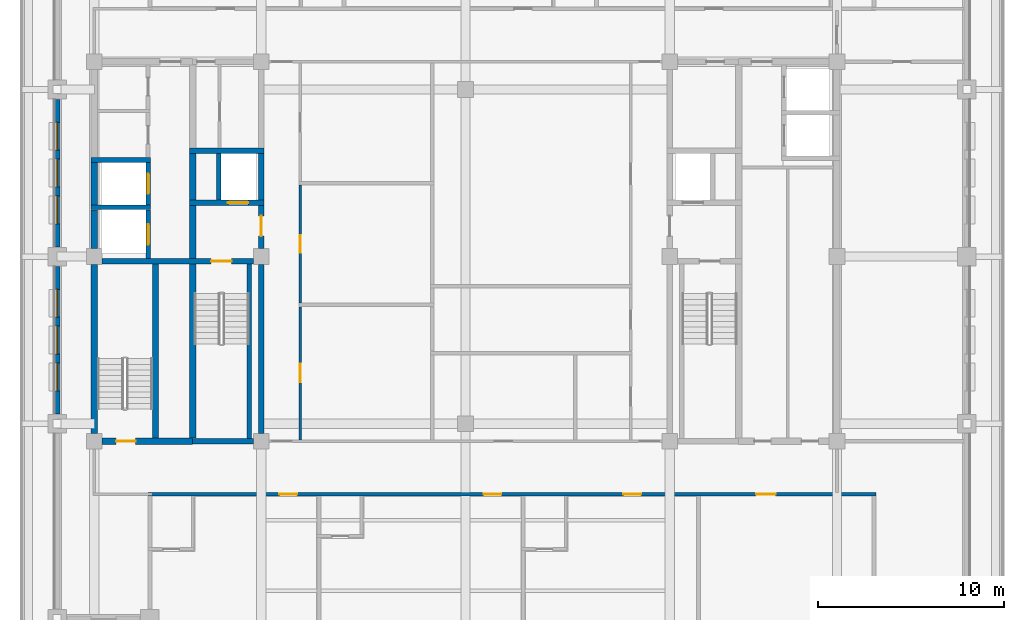
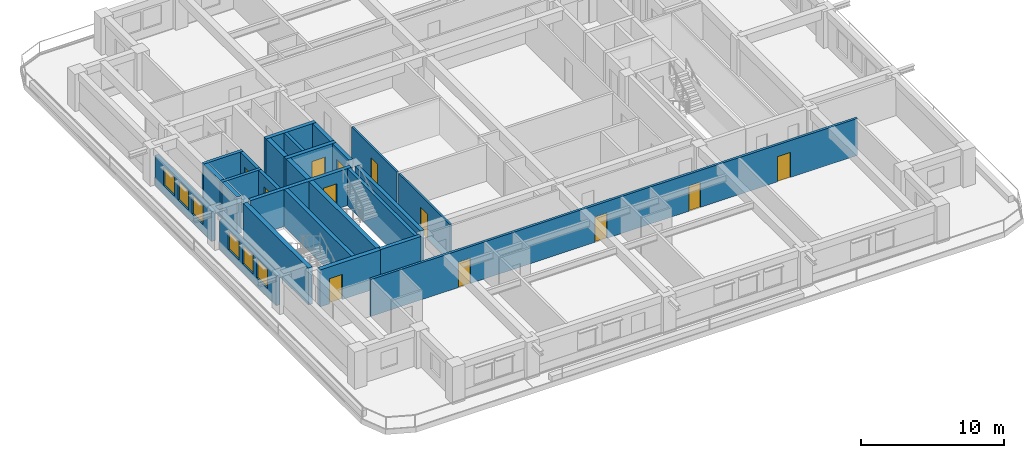
# One storey, part 3 of 13: 26 walls, 12 doors, 6 windows, 18 openings.
"""IFC4 building model written with IfcOpenShell, lengths in metres."""

from ifc_helpers import new_model, si_unit, direction, frame, frame_2d, origin, place, context, subcontext, project, spatial, rectangle, extrude, material, layer, layer_set, type_object, element, fill, save


model = new_model("IFC4")

# Units and contexts
model_context = context("Model", 3, precision=1e-05, world=origin(), true_north=direction((0.0, 1.0)))
body_context = subcontext(model_context, "Body", "Model", "MODEL_VIEW")
ifc_project = project(units=[si_unit("LENGTHUNIT", "METRE"), si_unit("AREAUNIT", "SQUARE_METRE"), si_unit("VOLUMEUNIT", "CUBIC_METRE"), si_unit("PLANEANGLEUNIT", "RADIAN"), si_unit("MASSUNIT", "GRAM", prefix="KILO")], contexts=[model_context])

# Site, building, storey
site_placement = place(None, origin())
site = spatial("IfcSite", under=ifc_project, at=site_placement, CompositionType="ELEMENT")
building_placement = place(site_placement, origin())
building = spatial("IfcBuilding", under=site, at=building_placement, Name="Zulmaris Gate Convention Tower", CompositionType="ELEMENT")
storey_placement = place(building_placement, frame((0.0, 0.0, 169.4599609375)))
storey = spatial("IfcBuildingStorey", under=building, at=storey_placement, Name="L43", CompositionType="ELEMENT", Elevation=169.4599609375)

# Walls
ifc_material_1 = material(Name="Concrete C50/60", Category="concrete")
ifc_layer_1 = layer(ifc_material_1, 0.25, Name="Concrete C50/60")
ifc_layer_set_1 = layer_set([ifc_layer_1], Name="Concrete C50/60")
wall_type_1 = type_object("IfcWallType", Name="CORE-250", PredefinedType="SOLIDWALL", material=ifc_layer_set_1)
for number, where, z_axis, x_axis, name in (
    (1, (-20.175048828125, 2.64990234375, 0.0), (0.0, 0.0, 1.0), (1.0, 0.0, 0.0), "WL-L43-007"),
    (2, (-20.175048828125, 5.199951171875, 0.0), (0.0, 0.0, 1.0), (1.0, 0.0, 0.0), "WL-L43-010"),
):
    element("IfcWall", number, at=place(storey_placement, frame(where, z_axis=z_axis, x_axis=x_axis)), inside=storey, type_object=wall_type_1, Name=name, PredefinedType="SOLIDWALL", context=body_context, shape_type="SweptSolid", body=[
        extrude(rectangle(XDim=3.199951171875, YDim=0.25, at=frame_2d((1.60009765625, 0.0))), origin(), (0.0, 0.0, 1.0), 3.14990234375),
    ])

# Wall, opening, door
wall_1_placement = place(storey_placement, frame((-17.10009765625, -0.097900390625, 0.0), z_axis=(0.0, 0.0, 1.0), x_axis=(0.0, 1.0, 0.0)))
wall_1 = element("IfcWall", 3, at=wall_1_placement, inside=storey, type_object=wall_type_1, Name="WL-L43-044", PredefinedType="SOLIDWALL", context=body_context, shape_type="SweptSolid", body=[
    extrude(rectangle(XDim=2.620849609375, YDim=0.25, at=frame_2d((1.310546875, 0.0))), origin(), (0.0, 0.0, 1.0), 3.14990234375),
])
opening_1_placement = place(wall_1_placement, frame((0.748046875, 0.0, 0.0)))
opening_1 = element("IfcOpeningElement", 4, at=opening_1_placement, cuts=wall_1, Name="Opening D-06", PredefinedType="OPENING", context=body_context, shape_type="SweptSolid", body=[
    extrude(rectangle(XDim=1.10009765625, YDim=2.199951171875, at=frame_2d((0.550048828125, 1.10009765625))), frame((0.0, 0.135009765625, 0.0), z_axis=(0.0, -1.0, 0.0), x_axis=(1.0, 0.0, 0.0)), (0.0, 0.0, 1.0), 0.27001953125),
])
ifc_material_2 = material(Name="Brushed Stainless Steel", Category="steel")
door_type_1 = type_object("IfcDoorType", Name="LD-1100", OperationType="NOTDEFINED", PredefinedType="DOOR", material=ifc_material_2)
door_1_placement = place(opening_1_placement, origin())
door_1 = element("IfcDoor", 5, at=door_1_placement, inside=storey, type_object=door_type_1, Name="L43 Lift Landing Door HP-03 11", OperationType="SLIDING_TO_LEFT", OverallHeight=2.199951171875, OverallWidth=1.10009765625, PredefinedType="DOOR", context=body_context, shape_type="SweptSolid", body=[
    extrude(rectangle(XDim=1.10009765625, YDim=2.199951171875, at=frame_2d((0.550048828125, 1.10009765625))), frame((0.0, 0.02490234375, 0.0), z_axis=(0.0, -1.0, 0.0), x_axis=(1.0, 0.0, 0.0)), (0.0, 0.0, 1.0), 0.050048828125),
])
fill(opening_1, door_1)

wall_2_placement = place(storey_placement, frame((-17.10009765625, 2.777099609375, 0.0), z_axis=(0.0, 0.0, 1.0), x_axis=(0.0, 1.0, 0.0)))
wall_2 = element("IfcWall", 6, at=wall_2_placement, inside=storey, type_object=wall_type_1, Name="WL-L43-045", PredefinedType="SOLIDWALL", context=body_context, shape_type="SweptSolid", body=[
    extrude(rectangle(XDim=2.2958984375, YDim=0.25, at=frame_2d((1.14794921875, 0.0))), origin(), (0.0, 0.0, 1.0), 3.14990234375),
])
opening_2_placement = place(wall_2_placement, frame((0.597900390625, 0.0, 0.0)))
opening_2 = element("IfcOpeningElement", 7, at=opening_2_placement, cuts=wall_2, Name="Opening D-06", PredefinedType="OPENING", context=body_context, shape_type="SweptSolid", body=[
    extrude(rectangle(XDim=1.10009765625, YDim=2.199951171875, at=frame_2d((0.550048828125, 1.10009765625))), frame((0.0, 0.135009765625, 0.0), z_axis=(0.0, -1.0, 0.0), x_axis=(1.0, 0.0, 0.0)), (0.0, 0.0, 1.0), 0.27001953125),
])
door_2_placement = place(opening_2_placement, origin())
door_2 = element("IfcDoor", 8, at=door_2_placement, inside=storey, type_object=door_type_1, Name="L43 Lift Landing Door HP-04 12", OperationType="SLIDING_TO_LEFT", OverallHeight=2.199951171875, OverallWidth=1.10009765625, PredefinedType="DOOR", context=body_context, shape_type="SweptSolid", body=[
    extrude(rectangle(XDim=1.10009765625, YDim=2.199951171875, at=frame_2d((0.550048828125, 1.10009765625))), frame((0.0, 0.02490234375, 0.0), z_axis=(0.0, -1.0, 0.0), x_axis=(1.0, 0.0, 0.0)), (0.0, 0.0, 1.0), 0.050048828125),
])
fill(opening_2, door_2)

# Walls
wall_3_placement = place(storey_placement, frame((-13.300048828125, 3.052001953125, 0.0), z_axis=(0.0, 0.0, 1.0), x_axis=(0.0, 1.0, 0.0)))
element("IfcWall", 9, at=wall_3_placement, inside=storey, type_object=wall_type_1, Name="WL-L43-051", PredefinedType="SOLIDWALL", context=body_context, shape_type="SweptSolid", body=[
    extrude(rectangle(XDim=2.49609375, YDim=0.25, at=frame_2d((1.248046875, 0.0))), origin(), (0.0, 0.0, 1.0), 3.14990234375),
])
wall_4_placement = place(storey_placement, frame((-11.64990234375, -9.798095703125, 0.0), z_axis=(0.0, 0.0, 1.0), x_axis=(0.0, 1.0, 0.0)))
element("IfcWall", 10, at=wall_4_placement, inside=storey, type_object=wall_type_1, Name="WL-L43-052", PredefinedType="SOLIDWALL", context=body_context, shape_type="SweptSolid", body=[
    extrude(rectangle(XDim=9.39599609375, YDim=0.25, at=frame_2d((4.697998046875, 0.0))), origin(), (0.0, 0.0, 1.0), 3.14990234375),
])
ifc_layer_2 = layer(ifc_material_1, 0.300048828125, Name="Concrete C50/60")
ifc_layer_set_2 = layer_set([ifc_layer_2], Name="Concrete C50/60")
wall_type_2 = type_object("IfcWallType", Name="CORE-300", PredefinedType="SHEAR", material=ifc_layer_set_2)
wall_5_placement = place(storey_placement, frame((-14.699951171875, -9.949951171875, 0.0), z_axis=(0.0, 0.0, 1.0), x_axis=(1.0, 0.0, 0.0)))
element("IfcWall", 11, at=wall_5_placement, inside=storey, type_object=wall_type_2, Name="WL-L43-002", PredefinedType="SHEAR", context=body_context, shape_type="SweptSolid", body=[
    extrude(rectangle(XDim=3.27099609375, YDim=0.300048828125, at=frame_2d((1.635498046875, 0.0))), origin(), (0.0, 0.0, 1.0), 3.14990234375),
])

# Wall, opening, door
wall_6_placement = place(storey_placement, frame((-19.571044921875, -0.25, 0.0), z_axis=(0.0, 0.0, 1.0), x_axis=(1.0, 0.0, 0.0)))
wall_6 = element("IfcWall", 12, at=wall_6_placement, inside=storey, type_object=wall_type_2, Name="WL-L43-005", PredefinedType="SHEAR", context=body_context, shape_type="SweptSolid", body=[
    extrude(rectangle(XDim=8.14208984375, YDim=0.300048828125, at=frame_2d((4.071044921875, 0.0))), origin(), (0.0, 0.0, 1.0), 3.14990234375),
])
opening_3_placement = place(wall_6_placement, frame((5.87109375, 0.0, 0.0)))
opening_3 = element("IfcOpeningElement", 13, at=opening_3_placement, cuts=wall_6, Name="Opening D-08", PredefinedType="OPENING", context=body_context, shape_type="SweptSolid", body=[
    extrude(rectangle(XDim=1.10009765625, YDim=2.14990234375, at=frame_2d((0.550048828125, 1.074951171875))), frame((0.0, 0.16015625, 0.0), z_axis=(0.0, -1.0, 0.0), x_axis=(1.0, 0.0, 0.0)), (0.0, 0.0, 1.0), 0.320068359375),
])
ifc_material_3 = material(Name="Fire-Rated Steel", Category="steel")
door_type_2 = type_object("IfcDoorType", Name="DR-1100-FD", OperationType="NOTDEFINED", PredefinedType="DOOR", material=ifc_material_3)
door_3_placement = place(opening_3_placement, origin())
door_3 = element("IfcDoor", 14, at=door_3_placement, inside=storey, type_object=door_type_2, Name="L43 Exit Stair ST-1 Door 01", OperationType="SINGLE_SWING_RIGHT", OverallHeight=2.14990234375, OverallWidth=1.10009765625, PredefinedType="DOOR", context=body_context, shape_type="SweptSolid", body=[
    extrude(rectangle(XDim=1.10009765625, YDim=2.14990234375, at=frame_2d((0.550048828125, 1.074951171875))), frame((0.0, 0.02490234375, 0.0), z_axis=(0.0, -1.0, 0.0), x_axis=(1.0, 0.0, 0.0)), (0.0, 0.0, 1.0), 0.050048828125),
])
fill(opening_3, door_3)

wall_7_placement = place(storey_placement, frame((-14.875, 2.89990234375, 0.0), z_axis=(0.0, 0.0, 1.0), x_axis=(1.0, 0.0, 0.0)))
wall_7 = element("IfcWall", 15, at=wall_7_placement, inside=storey, type_object=wall_type_2, Name="WL-L43-008", PredefinedType="SHEAR", context=body_context, shape_type="SweptSolid", body=[
    extrude(rectangle(XDim=4.02490234375, YDim=0.300048828125, at=frame_2d((2.012451171875, 0.0))), origin(), (0.0, 0.0, 1.0), 3.14990234375),
])
opening_4_placement = place(wall_7_placement, frame((2.074951171875, 0.0, 0.0)))
opening_4 = element("IfcOpeningElement", 16, at=opening_4_placement, cuts=wall_7, Name="Opening D-06", PredefinedType="OPENING", context=body_context, shape_type="SweptSolid", body=[
    extrude(rectangle(XDim=1.10009765625, YDim=2.199951171875, at=frame_2d((0.550048828125, 1.10009765625))), frame((0.0, 0.16015625, 0.0), z_axis=(0.0, -1.0, 0.0), x_axis=(1.0, 0.0, 0.0)), (0.0, 0.0, 1.0), 0.320068359375),
])
door_4_placement = place(opening_4_placement, origin())
door_4 = element("IfcDoor", 17, at=door_4_placement, inside=storey, type_object=door_type_1, Name="L43 Lift Landing Door LF-01 03", OperationType="SLIDING_TO_LEFT", OverallHeight=2.199951171875, OverallWidth=1.10009765625, PredefinedType="DOOR", context=body_context, shape_type="SweptSolid", body=[
    extrude(rectangle(XDim=1.10009765625, YDim=2.199951171875, at=frame_2d((0.550048828125, 1.10009765625))), frame((0.0, 0.02490234375, 0.0), z_axis=(0.0, -1.0, 0.0), x_axis=(1.0, 0.0, 0.0)), (0.0, 0.0, 1.0), 0.050048828125),
])
fill(opening_4, door_4)

# Walls
wall_8_placement = place(storey_placement, frame((-14.875, 5.699951171875, 0.0), z_axis=(0.0, 0.0, 1.0), x_axis=(1.0, 0.0, 0.0)))
element("IfcWall", 18, at=wall_8_placement, inside=storey, type_object=wall_type_2, Name="WL-L43-012", PredefinedType="SHEAR", context=body_context, shape_type="SweptSolid", body=[
    extrude(rectangle(XDim=4.02490234375, YDim=0.300048828125, at=frame_2d((2.012451171875, 0.0))), origin(), (0.0, 0.0, 1.0), 3.14990234375),
])
wall_9_placement = place(storey_placement, frame((-16.699951171875, -9.77294921875, 0.0), z_axis=(0.0, 0.0, 1.0), x_axis=(0.0, 1.0, 0.0)))
element("IfcWall", 19, at=wall_9_placement, inside=storey, type_object=wall_type_2, Name="WL-L43-046", PredefinedType="SHEAR", context=body_context, shape_type="SweptSolid", body=[
    extrude(rectangle(XDim=9.370849609375, YDim=0.300048828125, at=frame_2d((4.685546875, 0.0))), origin(), (0.0, 0.0, 1.0), 3.14990234375),
])
wall_10_placement = place(storey_placement, frame((-11.0, -9.52099609375, 0.0), z_axis=(0.0, 0.0, 1.0), x_axis=(0.0, 1.0, 0.0)))
element("IfcWall", 20, at=wall_10_placement, inside=storey, type_object=wall_type_2, Name="WL-L43-053", PredefinedType="SHEAR", context=body_context, shape_type="SweptSolid", body=[
    extrude(rectangle(XDim=9.092041015625, YDim=0.300048828125, at=frame_2d((4.5458984375, 0.0))), origin(), (0.0, 0.0, 1.0), 3.14990234375),
])

# Wall, opening, door
wall_11_placement = place(storey_placement, frame((-11.0, 0.428955078125, 0.0), z_axis=(0.0, 0.0, 1.0), x_axis=(0.0, 1.0, 0.0)))
wall_11 = element("IfcWall", 21, at=wall_11_placement, inside=storey, type_object=wall_type_2, Name="WL-L43-054", PredefinedType="SHEAR", context=body_context, shape_type="SweptSolid", body=[
    extrude(rectangle(XDim=2.319091796875, YDim=0.300048828125, at=frame_2d((1.15966796875, 0.0))), origin(), (0.0, 0.0, 1.0), 3.14990234375),
])
opening_5_placement = place(wall_11_placement, frame((0.6708984375, 0.0, 0.0)))
opening_5 = element("IfcOpeningElement", 22, at=opening_5_placement, cuts=wall_11, Name="Opening D-08", PredefinedType="OPENING", context=body_context, shape_type="SweptSolid", body=[
    extrude(rectangle(XDim=1.10009765625, YDim=2.14990234375, at=frame_2d((0.550048828125, 1.074951171875))), frame((0.0, 0.16015625, 0.0), z_axis=(0.0, -1.0, 0.0), x_axis=(1.0, 0.0, 0.0)), (0.0, 0.0, 1.0), 0.320068359375),
])
door_5_placement = place(opening_5_placement, origin())
door_5 = element("IfcDoor", 23, at=door_5_placement, inside=storey, type_object=door_type_2, Name="L43 West Firefighting Lobby Door 02", OperationType="SINGLE_SWING_LEFT", OverallHeight=2.14990234375, OverallWidth=1.10009765625, PredefinedType="DOOR", context=body_context, shape_type="SweptSolid", body=[
    extrude(rectangle(XDim=1.10009765625, YDim=2.14990234375, at=frame_2d((0.550048828125, 1.074951171875))), frame((0.0, 0.02490234375, 0.0), z_axis=(0.0, -1.0, 0.0), x_axis=(1.0, 0.0, 0.0)), (0.0, 0.0, 1.0), 0.050048828125),
])
fill(opening_5, door_5)

# Wall
wall_12_placement = place(storey_placement, frame((-11.0, 3.052001953125, 0.0), z_axis=(0.0, 0.0, 1.0), x_axis=(0.0, 1.0, 0.0)))
element("IfcWall", 24, at=wall_12_placement, inside=storey, type_object=wall_type_2, Name="WL-L43-055", PredefinedType="SHEAR", context=body_context, shape_type="SweptSolid", body=[
    extrude(rectangle(XDim=2.49609375, YDim=0.300048828125, at=frame_2d((1.248046875, 0.0))), origin(), (0.0, 0.0, 1.0), 3.14990234375),
])

# Wall, opening, door
ifc_material_4 = material(Name="Concrete C55/67", Category="concrete")
ifc_layer_3 = layer(ifc_material_4, 0.35009765625, Name="Concrete C55/67")
ifc_layer_set_3 = layer_set([ifc_layer_3], Name="Concrete C55/67")
wall_type_3 = type_object("IfcWallType", Name="CORE-350", PredefinedType="SHEAR", material=ifc_layer_set_3)
wall_13_placement = place(storey_placement, frame((-19.571044921875, -9.949951171875, 0.0), z_axis=(0.0, 0.0, 1.0), x_axis=(1.0, 0.0, 0.0)))
wall_13 = element("IfcWall", 25, at=wall_13_placement, inside=storey, type_object=wall_type_3, Name="WL-L43-001", PredefinedType="SHEAR", context=body_context, shape_type="SweptSolid", body=[
    extrude(rectangle(XDim=4.87109375, YDim=0.35009765625, at=frame_2d((2.435546875, 0.0))), origin(), (0.0, 0.0, 1.0), 3.14990234375),
])
opening_6_placement = place(wall_13_placement, frame((0.74609375, 0.0, 0.0)))
opening_6 = element("IfcOpeningElement", 26, at=opening_6_placement, cuts=wall_13, Name="Opening D-09", PredefinedType="OPENING", context=body_context, shape_type="SweptSolid", body=[
    extrude(rectangle(XDim=1.050048828125, YDim=2.14990234375, at=frame_2d((0.52490234375, 1.074951171875))), frame((0.0, 0.18505859375, 0.0), z_axis=(0.0, -1.0, 0.0), x_axis=(1.0, 0.0, 0.0)), (0.0, 0.0, 1.0), 0.3701171875),
])
door_type_3 = type_object("IfcDoorType", Name="DR-1050-FD", OperationType="NOTDEFINED", PredefinedType="DOOR", material=ifc_material_3)
door_6_placement = place(opening_6_placement, origin())
door_6 = element("IfcDoor", 27, at=door_6_placement, inside=storey, type_object=door_type_3, Name="L43 Exit Stair ST-3 Door 10", OperationType="SINGLE_SWING_LEFT", OverallHeight=2.14990234375, OverallWidth=1.050048828125, PredefinedType="DOOR", context=body_context, shape_type="SweptSolid", body=[
    extrude(rectangle(XDim=1.050048828125, YDim=2.14990234375, at=frame_2d((0.52490234375, 1.074951171875))), frame((0.0, 0.02490234375, 0.0), z_axis=(0.0, -1.0, 0.0), x_axis=(1.0, 0.0, 0.0)), (0.0, 0.0, 1.0), 0.050048828125),
])
fill(opening_6, door_6)

# Walls
wall_14_placement = place(storey_placement, frame((-20.0, -9.52099609375, 0.0), z_axis=(0.0, 0.0, 1.0), x_axis=(0.0, 1.0, 0.0)))
element("IfcWall", 28, at=wall_14_placement, inside=storey, type_object=wall_type_3, Name="WL-L43-040", PredefinedType="SHEAR", context=body_context, shape_type="SweptSolid", body=[
    extrude(rectangle(XDim=9.092041015625, YDim=0.35009765625, at=frame_2d((4.5458984375, 0.0))), origin(), (0.0, 0.0, 1.0), 3.14990234375),
])
wall_15_placement = place(storey_placement, frame((-20.0, 0.428955078125, 0.0), z_axis=(0.0, 0.0, 1.0), x_axis=(0.0, 1.0, 0.0)))
element("IfcWall", 29, at=wall_15_placement, inside=storey, type_object=wall_type_3, Name="WL-L43-041", PredefinedType="SHEAR", context=body_context, shape_type="SweptSolid", body=[
    extrude(rectangle(XDim=2.093994140625, YDim=0.35009765625, at=frame_2d((1.046875, 0.0))), origin(), (0.0, 0.0, 1.0), 3.14990234375),
])
wall_16_placement = place(storey_placement, frame((-20.0, 2.777099609375, 0.0), z_axis=(0.0, 0.0, 1.0), x_axis=(0.0, 1.0, 0.0)))
element("IfcWall", 30, at=wall_16_placement, inside=storey, type_object=wall_type_3, Name="WL-L43-042", PredefinedType="SHEAR", context=body_context, shape_type="SweptSolid", body=[
    extrude(rectangle(XDim=2.2958984375, YDim=0.35009765625, at=frame_2d((1.14794921875, 0.0))), origin(), (0.0, 0.0, 1.0), 3.14990234375),
])
wall_17_placement = place(storey_placement, frame((-14.699951171875, -9.77294921875, 0.0), z_axis=(0.0, 0.0, 1.0), x_axis=(0.0, 1.0, 0.0)))
element("IfcWall", 31, at=wall_17_placement, inside=storey, type_object=wall_type_3, Name="WL-L43-047", PredefinedType="SHEAR", context=body_context, shape_type="SweptSolid", body=[
    extrude(rectangle(XDim=9.370849609375, YDim=0.35009765625, at=frame_2d((4.685546875, 0.0))), origin(), (0.0, 0.0, 1.0), 3.14990234375),
])
wall_18_placement = place(storey_placement, frame((-14.699951171875, -0.097900390625, 0.0), z_axis=(0.0, 0.0, 1.0), x_axis=(0.0, 1.0, 0.0)))
element("IfcWall", 32, at=wall_18_placement, inside=storey, type_object=wall_type_3, Name="WL-L43-048", PredefinedType="SHEAR", context=body_context, shape_type="SweptSolid", body=[
    extrude(rectangle(XDim=2.845947265625, YDim=0.35009765625, at=frame_2d((1.4228515625, 0.0))), origin(), (0.0, 0.0, 1.0), 3.14990234375),
])
wall_19_placement = place(storey_placement, frame((-14.699951171875, 3.052001953125, 0.0), z_axis=(0.0, 0.0, 1.0), x_axis=(0.0, 1.0, 0.0)))
element("IfcWall", 33, at=wall_19_placement, inside=storey, type_object=wall_type_3, Name="WL-L43-049", PredefinedType="SHEAR", context=body_context, shape_type="SweptSolid", body=[
    extrude(rectangle(XDim=2.49609375, YDim=0.35009765625, at=frame_2d((1.248046875, 0.0))), origin(), (0.0, 0.0, 1.0), 3.14990234375),
])

# Wall, opening, door
ifc_material_5 = material(Name="Gypsum Metal Stud Partition")
ifc_layer_4 = layer(ifc_material_5, 0.14990234375, Name="Gypsum Metal Stud Partition")
ifc_layer_set_4 = layer_set([ifc_layer_4], Name="Gypsum Metal Stud Partition")
wall_type_4 = type_object("IfcWallType", Name="PART-150", PredefinedType="PARTITIONING", material=ifc_layer_set_4)
wall_20_placement = place(storey_placement, frame((-8.89990234375, -9.8720703125, 0.0), z_axis=(0.0, 0.0, 1.0), x_axis=(0.0, 1.0, 0.0)))
wall_20 = element("IfcWall", 34, at=wall_20_placement, inside=storey, type_object=wall_type_4, Name="WL-L43-081", PredefinedType="PARTITIONING", context=body_context, shape_type="SweptSolid", body=[
    extrude(rectangle(XDim=7.169189453125, YDim=0.14990234375, at=frame_2d((3.58447265625, 0.0))), origin(), (0.0, 0.0, 1.0), 3.14990234375),
])
opening_7_placement = place(wall_20_placement, frame((3.10205078125, 0.0, 0.0)))
opening_7 = element("IfcOpeningElement", 35, at=opening_7_placement, cuts=wall_20, Name="Opening D-10", PredefinedType="OPENING", context=body_context, shape_type="SweptSolid", body=[
    extrude(rectangle(XDim=1.0, YDim=2.14990234375, at=frame_2d((0.5, 1.074951171875))), frame((0.0, 0.0849609375, 0.0), z_axis=(0.0, -1.0, 0.0), x_axis=(1.0, 0.0, 0.0)), (0.0, 0.0, 1.0), 0.169921875),
])
ifc_material_6 = material(Name="Fire-Rated Timber", Category="wood")
door_type_4 = type_object("IfcDoorType", Name="DR-1000-FD", OperationType="NOTDEFINED", PredefinedType="DOOR", material=ifc_material_6)
door_7_placement = place(opening_7_placement, origin())
door_7 = element("IfcDoor", 36, at=door_7_placement, inside=storey, type_object=door_type_4, Name="L43 Guest Study Door 40", OperationType="SINGLE_SWING_LEFT", OverallHeight=2.14990234375, OverallWidth=1.0, PredefinedType="DOOR", context=body_context, shape_type="SweptSolid", body=[
    extrude(rectangle(XDim=1.0, YDim=2.14990234375, at=frame_2d((0.5, 1.074951171875))), frame((0.0, 0.02490234375, 0.0), z_axis=(0.0, -1.0, 0.0), x_axis=(1.0, 0.0, 0.0)), (0.0, 0.0, 1.0), 0.050048828125),
])
fill(opening_7, door_7)

wall_21_placement = place(storey_placement, frame((-8.89990234375, -2.4970703125, 0.0), z_axis=(0.0, 0.0, 1.0), x_axis=(0.0, 1.0, 0.0)))
wall_21 = element("IfcWall", 37, at=wall_21_placement, inside=storey, type_object=wall_type_4, Name="WL-L43-082", PredefinedType="PARTITIONING", context=body_context, shape_type="SweptSolid", body=[
    extrude(rectangle(XDim=6.343994140625, YDim=0.14990234375, at=frame_2d((3.171875, 0.0))), origin(), (0.0, 0.0, 1.0), 3.14990234375),
])
opening_8_placement = place(wall_21_placement, frame((2.701904296875, 0.0, 0.0)))
opening_8 = element("IfcOpeningElement", 38, at=opening_8_placement, cuts=wall_21, Name="Opening D-11", PredefinedType="OPENING", context=body_context, shape_type="SweptSolid", body=[
    extrude(rectangle(XDim=0.949951171875, YDim=2.14990234375, at=frame_2d((0.47509765625, 1.074951171875))), frame((0.0, 0.0849609375, 0.0), z_axis=(0.0, -1.0, 0.0), x_axis=(1.0, 0.0, 0.0)), (0.0, 0.0, 1.0), 0.169921875),
])
door_type_5 = type_object("IfcDoorType", Name="DR-950-FD", OperationType="NOTDEFINED", PredefinedType="DOOR", material=ifc_material_6)
door_8_placement = place(opening_8_placement, origin())
door_8 = element("IfcDoor", 39, at=door_8_placement, inside=storey, type_object=door_type_5, Name="L43 Tea Salon Door 39", OperationType="SINGLE_SWING_RIGHT", OverallHeight=2.14990234375, OverallWidth=0.949951171875, PredefinedType="DOOR", context=body_context, shape_type="SweptSolid", body=[
    extrude(rectangle(XDim=0.949951171875, YDim=2.14990234375, at=frame_2d((0.47509765625, 1.074951171875))), frame((0.0, 0.02490234375, 0.0), z_axis=(0.0, -1.0, 0.0), x_axis=(1.0, 0.0, 0.0)), (0.0, 0.0, 1.0), 0.050048828125),
])
fill(opening_8, door_8)

# Wall, openings, doors
ifc_material_7 = material(Name="Autoclaved Aerated Concrete Block and Plasterboard", Category="concrete")
ifc_layer_5 = layer(ifc_material_7, 0.199951171875, Name="Autoclaved Aerated Concrete Block and Plasterboard")
ifc_layer_set_5 = layer_set([ifc_layer_5], Name="Autoclaved Aerated Concrete Block and Plasterboard")
wall_type_5 = type_object("IfcWallType", Name="PART-200", PredefinedType="PARTITIONING", material=ifc_layer_set_5)
wall_22_placement = place(storey_placement, frame((-17.10009765625, -12.800048828125, 0.0), z_axis=(0.0, 0.0, 1.0), x_axis=(1.0, 0.0, 0.0)))
wall_22 = element("IfcWall", 40, at=wall_22_placement, inside=storey, type_object=wall_type_5, Name="WL-L43-023", PredefinedType="PARTITIONING", context=body_context, shape_type="SweptSolid", body=[
    extrude(rectangle(XDim=39.2001953125, YDim=0.199951171875, at=frame_2d((19.60009765625, 0.0))), origin(), (0.0, 0.0, 1.0), 3.14990234375),
])
opening_9_placement = place(wall_22_placement, frame((7.074951171875, 0.0, 0.0)))
opening_9 = element("IfcOpeningElement", 41, at=opening_9_placement, cuts=wall_22, Name="Opening D-11", PredefinedType="OPENING", context=body_context, shape_type="SweptSolid", body=[
    extrude(rectangle(XDim=0.949951171875, YDim=2.14990234375, at=frame_2d((0.47509765625, 1.074951171875))), frame((0.0, 0.10986328125, 0.0), z_axis=(0.0, -1.0, 0.0), x_axis=(1.0, 0.0, 0.0)), (0.0, 0.0, 1.0), 0.219970703125),
])
opening_10_placement = place(wall_22_placement, frame((18.074951171875, 0.0, 0.0)))
opening_10 = element("IfcOpeningElement", 42, at=opening_10_placement, cuts=wall_22, Name="Opening D-11", PredefinedType="OPENING", context=body_context, shape_type="SweptSolid", body=[
    extrude(rectangle(XDim=0.949951171875, YDim=2.14990234375, at=frame_2d((0.47509765625, 1.074951171875))), frame((0.0, 0.10986328125, 0.0), z_axis=(0.0, -1.0, 0.0), x_axis=(1.0, 0.0, 0.0)), (0.0, 0.0, 1.0), 0.219970703125),
])
opening_11_placement = place(wall_22_placement, frame((25.60498046875, 0.0, 0.0)))
opening_11 = element("IfcOpeningElement", 43, at=opening_11_placement, cuts=wall_22, Name="Opening D-11", PredefinedType="OPENING", context=body_context, shape_type="SweptSolid", body=[
    extrude(rectangle(XDim=0.949951171875, YDim=2.14990234375, at=frame_2d((0.47509765625, 1.074951171875))), frame((0.0, 0.10986328125, 0.0), z_axis=(0.0, -1.0, 0.0), x_axis=(1.0, 0.0, 0.0)), (0.0, 0.0, 1.0), 0.219970703125),
])
opening_12_placement = place(wall_22_placement, frame((32.7548828125, 0.0, 0.0)))
opening_12 = element("IfcOpeningElement", 44, at=opening_12_placement, cuts=wall_22, Name="Opening D-09", PredefinedType="OPENING", context=body_context, shape_type="SweptSolid", body=[
    extrude(rectangle(XDim=1.050048828125, YDim=2.14990234375, at=frame_2d((0.52490234375, 1.074951171875))), frame((0.0, 0.10986328125, 0.0), z_axis=(0.0, -1.0, 0.0), x_axis=(1.0, 0.0, 0.0)), (0.0, 0.0, 1.0), 0.219970703125),
])
door_9_placement = place(opening_12_placement, origin())
door_9 = element("IfcDoor", 45, at=door_9_placement, inside=storey, type_object=door_type_3, Name="L43 Briefing Room Door 37", OperationType="SINGLE_SWING_RIGHT", OverallHeight=2.14990234375, OverallWidth=1.050048828125, PredefinedType="DOOR", context=body_context, shape_type="SweptSolid", body=[
    extrude(rectangle(XDim=1.050048828125, YDim=2.14990234375, at=frame_2d((0.52490234375, 1.074951171875))), frame((0.0, 0.02490234375, 0.0), z_axis=(0.0, -1.0, 0.0), x_axis=(1.0, 0.0, 0.0)), (0.0, 0.0, 1.0), 0.050048828125),
])
fill(opening_12, door_9)
door_10_placement = place(opening_9_placement, origin())
door_10 = element("IfcDoor", 46, at=door_10_placement, inside=storey, type_object=door_type_5, Name="L43 Hotel Executive Suite Door 31", OperationType="SINGLE_SWING_RIGHT", OverallHeight=2.14990234375, OverallWidth=0.949951171875, PredefinedType="DOOR", context=body_context, shape_type="SweptSolid", body=[
    extrude(rectangle(XDim=0.949951171875, YDim=2.14990234375, at=frame_2d((0.47509765625, 1.074951171875))), frame((0.0, 0.02490234375, 0.0), z_axis=(0.0, -1.0, 0.0), x_axis=(1.0, 0.0, 0.0)), (0.0, 0.0, 1.0), 0.050048828125),
])
fill(opening_9, door_10)
door_11_placement = place(opening_10_placement, origin())
door_11 = element("IfcDoor", 47, at=door_11_placement, inside=storey, type_object=door_type_5, Name="L43 Hotel Executive Suite Door 33", OperationType="SINGLE_SWING_RIGHT", OverallHeight=2.14990234375, OverallWidth=0.949951171875, PredefinedType="DOOR", context=body_context, shape_type="SweptSolid", body=[
    extrude(rectangle(XDim=0.949951171875, YDim=2.14990234375, at=frame_2d((0.47509765625, 1.074951171875))), frame((0.0, 0.02490234375, 0.0), z_axis=(0.0, -1.0, 0.0), x_axis=(1.0, 0.0, 0.0)), (0.0, 0.0, 1.0), 0.050048828125),
])
fill(opening_10, door_11)
door_12_placement = place(opening_11_placement, origin())
door_12 = element("IfcDoor", 48, at=door_12_placement, inside=storey, type_object=door_type_5, Name="L43 Hotel Executive Suite Door 35", OperationType="SINGLE_SWING_RIGHT", OverallHeight=2.14990234375, OverallWidth=0.949951171875, PredefinedType="DOOR", context=body_context, shape_type="SweptSolid", body=[
    extrude(rectangle(XDim=0.949951171875, YDim=2.14990234375, at=frame_2d((0.47509765625, 1.074951171875))), frame((0.0, 0.02490234375, 0.0), z_axis=(0.0, -1.0, 0.0), x_axis=(1.0, 0.0, 0.0)), (0.0, 0.0, 1.0), 0.050048828125),
])
fill(opening_11, door_12)

# Wall, openings, windows
ifc_material_8 = material(Name="Precast concrete C40/50", Category="concrete")
ifc_layer_6 = layer(ifc_material_8, 0.300048828125, Name="Precast concrete C40/50")
ifc_layer_set_6 = layer_set([ifc_layer_6], Name="Precast concrete C40/50")
wall_type_6 = type_object("IfcWallType", Name="PRECAST-PIER-300", PredefinedType="STANDARD", material=ifc_layer_set_6)
wall_23_placement = place(storey_placement, frame((-22.0, -0.530029296875, 0.0), z_axis=(0.0, 0.0, 1.0), x_axis=(0.0, -1.0, 0.0)))
wall_23 = element("IfcWall", 49, at=wall_23_placement, inside=storey, type_object=wall_type_6, Name="EW-L43-W-1_0", PredefinedType="STANDARD", context=body_context, shape_type="SweptSolid", body=[
    extrude(rectangle(XDim=7.93994140625, YDim=0.300048828125, at=frame_2d((3.969970703125, 0.0))), origin(), (0.0, 0.0, 1.0), 2.5419921875),
])
opening_13_placement = place(wall_23_placement, frame((1.235107421875, 0.0, 0.719970703125)))
opening_13 = element("IfcOpeningElement", 50, at=opening_13_placement, cuts=wall_23, Name="Opening W-03", PredefinedType="OPENING", context=body_context, shape_type="SweptSolid", body=[
    extrude(rectangle(XDim=1.5, YDim=1.60009765625, at=frame_2d((0.75, 0.800048828125))), frame((0.0, 0.16015625, 0.0), z_axis=(0.0, -1.0, 0.0), x_axis=(1.0, 0.0, 0.0)), (0.0, 0.0, 1.0), 0.320068359375),
])
opening_14_placement = place(wall_23_placement, frame((3.219970703125, 0.0, 0.719970703125)))
opening_14 = element("IfcOpeningElement", 51, at=opening_14_placement, cuts=wall_23, Name="Opening W-03", PredefinedType="OPENING", context=body_context, shape_type="SweptSolid", body=[
    extrude(rectangle(XDim=1.5, YDim=1.60009765625, at=frame_2d((0.75, 0.800048828125))), frame((0.0, 0.16015625, 0.0), z_axis=(0.0, -1.0, 0.0), x_axis=(1.0, 0.0, 0.0)), (0.0, 0.0, 1.0), 0.320068359375),
])
opening_15_placement = place(wall_23_placement, frame((5.205078125, 0.0, 0.719970703125)))
opening_15 = element("IfcOpeningElement", 52, at=opening_15_placement, cuts=wall_23, Name="Opening W-03", PredefinedType="OPENING", context=body_context, shape_type="SweptSolid", body=[
    extrude(rectangle(XDim=1.5, YDim=1.60009765625, at=frame_2d((0.75, 0.800048828125))), frame((0.0, 0.16015625, 0.0), z_axis=(0.0, -1.0, 0.0), x_axis=(1.0, 0.0, 0.0)), (0.0, 0.0, 1.0), 0.320068359375),
])
ifc_material_9 = material(Name="Low-E Laminated Double Glazing in Aluminium Frame", Category="aluminium")
window_type = type_object("IfcWindowType", Name="WIN-1500x2100", PartitioningType="SINGLE_PANEL", PredefinedType="WINDOW", material=ifc_material_9)
window_1_placement = place(opening_13_placement, origin())
window_1 = element("IfcWindow", 53, at=window_1_placement, inside=storey, type_object=window_type, Name="WN-EW-L43-W-1_0-1", OverallHeight=1.60009765625, OverallWidth=1.5, PartitioningType="SINGLE_PANEL", PredefinedType="WINDOW", context=body_context, shape_type="SweptSolid", body=[
    extrude(rectangle(XDim=1.5, YDim=1.60009765625, at=frame_2d((0.75, 0.800048828125))), frame((0.0, 0.030029296875, 0.0), z_axis=(0.0, -1.0, 0.0), x_axis=(1.0, 0.0, 0.0)), (0.0, 0.0, 1.0), 0.06005859375),
])
fill(opening_13, window_1)
window_2_placement = place(opening_14_placement, origin())
window_2 = element("IfcWindow", 54, at=window_2_placement, inside=storey, type_object=window_type, Name="WN-EW-L43-W-1_0-2", OverallHeight=1.60009765625, OverallWidth=1.5, PartitioningType="SINGLE_PANEL", PredefinedType="WINDOW", context=body_context, shape_type="SweptSolid", body=[
    extrude(rectangle(XDim=1.5, YDim=1.60009765625, at=frame_2d((0.75, 0.800048828125))), frame((0.0, 0.030029296875, 0.0), z_axis=(0.0, -1.0, 0.0), x_axis=(1.0, 0.0, 0.0)), (0.0, 0.0, 1.0), 0.06005859375),
])
fill(opening_14, window_2)
window_3_placement = place(opening_15_placement, origin())
window_3 = element("IfcWindow", 55, at=window_3_placement, inside=storey, type_object=window_type, Name="WN-EW-L43-W-1_0-3", OverallHeight=1.60009765625, OverallWidth=1.5, PartitioningType="SINGLE_PANEL", PredefinedType="WINDOW", context=body_context, shape_type="SweptSolid", body=[
    extrude(rectangle(XDim=1.5, YDim=1.60009765625, at=frame_2d((0.75, 0.800048828125))), frame((0.0, 0.030029296875, 0.0), z_axis=(0.0, -1.0, 0.0), x_axis=(1.0, 0.0, 0.0)), (0.0, 0.0, 1.0), 0.06005859375),
])
fill(opening_15, window_3)

wall_24_placement = place(storey_placement, frame((-22.0, 8.469970703125, 0.0), z_axis=(0.0, 0.0, 1.0), x_axis=(0.0, -1.0, 0.0)))
wall_24 = element("IfcWall", 56, at=wall_24_placement, inside=storey, type_object=wall_type_6, Name="EW-L43-W-2_0", PredefinedType="STANDARD", context=body_context, shape_type="SweptSolid", body=[
    extrude(rectangle(XDim=7.93994140625, YDim=0.300048828125, at=frame_2d((3.969970703125, 0.0))), origin(), (0.0, 0.0, 1.0), 2.5419921875),
])
opening_16_placement = place(wall_24_placement, frame((1.235107421875, 0.0, 0.719970703125)))
opening_16 = element("IfcOpeningElement", 57, at=opening_16_placement, cuts=wall_24, Name="Opening W-03", PredefinedType="OPENING", context=body_context, shape_type="SweptSolid", body=[
    extrude(rectangle(XDim=1.5, YDim=1.60009765625, at=frame_2d((0.75, 0.800048828125))), frame((0.0, 0.16015625, 0.0), z_axis=(0.0, -1.0, 0.0), x_axis=(1.0, 0.0, 0.0)), (0.0, 0.0, 1.0), 0.320068359375),
])
opening_17_placement = place(wall_24_placement, frame((3.219970703125, 0.0, 0.719970703125)))
opening_17 = element("IfcOpeningElement", 58, at=opening_17_placement, cuts=wall_24, Name="Opening W-03", PredefinedType="OPENING", context=body_context, shape_type="SweptSolid", body=[
    extrude(rectangle(XDim=1.5, YDim=1.60009765625, at=frame_2d((0.75, 0.800048828125))), frame((0.0, 0.16015625, 0.0), z_axis=(0.0, -1.0, 0.0), x_axis=(1.0, 0.0, 0.0)), (0.0, 0.0, 1.0), 0.320068359375),
])
opening_18_placement = place(wall_24_placement, frame((5.205078125, 0.0, 0.719970703125)))
opening_18 = element("IfcOpeningElement", 59, at=opening_18_placement, cuts=wall_24, Name="Opening W-03", PredefinedType="OPENING", context=body_context, shape_type="SweptSolid", body=[
    extrude(rectangle(XDim=1.5, YDim=1.60009765625, at=frame_2d((0.75, 0.800048828125))), frame((0.0, 0.16015625, 0.0), z_axis=(0.0, -1.0, 0.0), x_axis=(1.0, 0.0, 0.0)), (0.0, 0.0, 1.0), 0.320068359375),
])
window_4_placement = place(opening_16_placement, origin())
window_4 = element("IfcWindow", 60, at=window_4_placement, inside=storey, type_object=window_type, Name="WN-EW-L43-W-2_0-1", OverallHeight=1.60009765625, OverallWidth=1.5, PartitioningType="SINGLE_PANEL", PredefinedType="WINDOW", context=body_context, shape_type="SweptSolid", body=[
    extrude(rectangle(XDim=1.5, YDim=1.60009765625, at=frame_2d((0.75, 0.800048828125))), frame((0.0, 0.030029296875, 0.0), z_axis=(0.0, -1.0, 0.0), x_axis=(1.0, 0.0, 0.0)), (0.0, 0.0, 1.0), 0.06005859375),
])
fill(opening_16, window_4)
window_5_placement = place(opening_17_placement, origin())
window_5 = element("IfcWindow", 61, at=window_5_placement, inside=storey, type_object=window_type, Name="WN-EW-L43-W-2_0-2", OverallHeight=1.60009765625, OverallWidth=1.5, PartitioningType="SINGLE_PANEL", PredefinedType="WINDOW", context=body_context, shape_type="SweptSolid", body=[
    extrude(rectangle(XDim=1.5, YDim=1.60009765625, at=frame_2d((0.75, 0.800048828125))), frame((0.0, 0.030029296875, 0.0), z_axis=(0.0, -1.0, 0.0), x_axis=(1.0, 0.0, 0.0)), (0.0, 0.0, 1.0), 0.06005859375),
])
fill(opening_17, window_5)
window_6_placement = place(opening_18_placement, origin())
window_6 = element("IfcWindow", 62, at=window_6_placement, inside=storey, type_object=window_type, Name="WN-EW-L43-W-2_0-3", OverallHeight=1.60009765625, OverallWidth=1.5, PartitioningType="SINGLE_PANEL", PredefinedType="WINDOW", context=body_context, shape_type="SweptSolid", body=[
    extrude(rectangle(XDim=1.5, YDim=1.60009765625, at=frame_2d((0.75, 0.800048828125))), frame((0.0, 0.030029296875, 0.0), z_axis=(0.0, -1.0, 0.0), x_axis=(1.0, 0.0, 0.0)), (0.0, 0.0, 1.0), 0.06005859375),
])
fill(opening_18, window_6)

save(model, "model.ifc")
